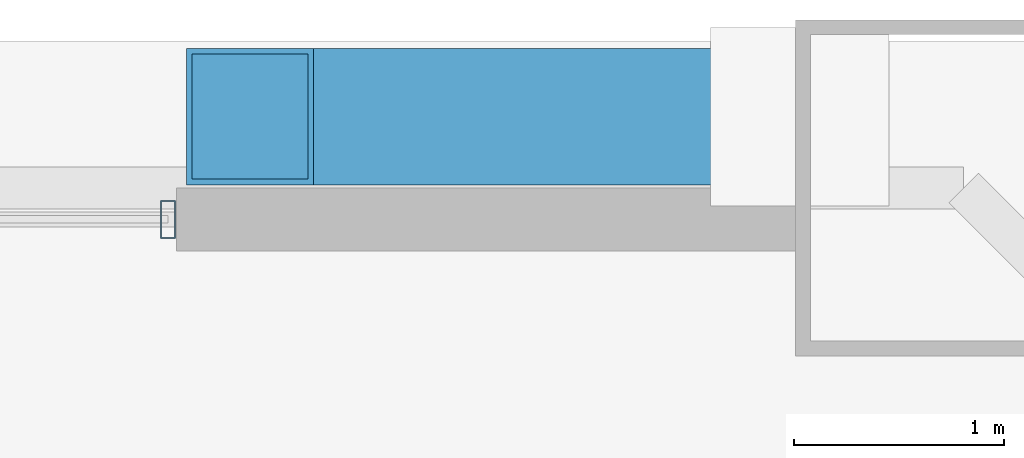
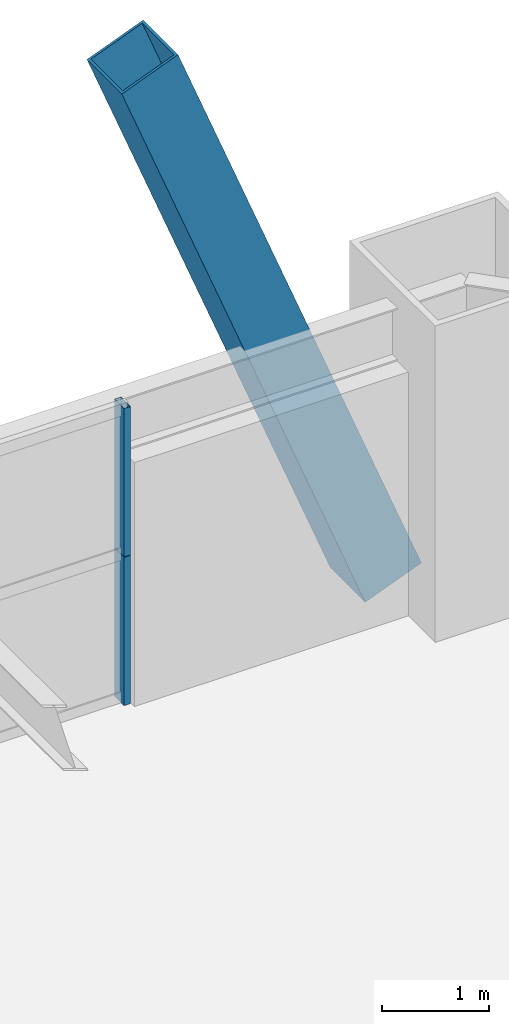
# One storey, part 35 of 41: 3 members, 1 element without a shape of its own.
"""IFC4 building model written with IfcOpenShell, lengths in metres."""

import ifcopenshell
import ifcopenshell.guid

model = None  # the IFC model being written
_history = None  # IfcOwnerHistory: only IFC2X3 demands one
_inside = {}  # id of a spatial element -> (the spatial element, [elements in it])
_under = {}  # id of a project, library or spatial element -> (it, [spatial elements below it])
_declared = {}  # id of a project -> (the project, [libraries it declares])
_typed = {}  # id of a type object -> (the type object, [elements of that type])
_made_of = {}  # id of a material, layer set ... -> (it, [elements and type objects made of it])


def new_model(schema):
    """Start an empty IFC model of exactly this schema.

    Asked for "IFC4X3", IfcOpenShell would pick the latest addendum, in which some entities
    have other attributes; the version numbers below select the first issue.
    IFC2X3 requires an IfcOwnerHistory on every rooted entity: one is made here for all.
    """
    global model, _history
    if schema == "IFC4X3":
        model = ifcopenshell.file(schema_version=(4, 3, 0, 0))
    else:
        model = ifcopenshell.file(schema=schema)
    _inside.clear()
    _under.clear()
    _declared.clear()
    _typed.clear()
    _made_of.clear()
    _history = None
    if model.schema == "IFC2X3":
        org = make("IfcOrganization", Name="unknown")
        user = make(
            "IfcPersonAndOrganization",
            ThePerson=make("IfcPerson", FamilyName="unknown"),
            TheOrganization=org,
        )
        app = make(
            "IfcApplication",
            ApplicationDeveloper=org,
            Version="unknown",
            ApplicationFullName="unknown",
            ApplicationIdentifier="unknown",
        )
        _history = make(
            "IfcOwnerHistory",
            OwningUser=user,
            OwningApplication=app,
            ChangeAction="ADDED",
            CreationDate=0,
        )
    return model


def make(cls, **values):
    """One entity of the class cls with the attributes given. An attribute that is None is left unset."""
    return model.create_entity(
        cls, **{name: value for name, value in values.items() if value is not None}
    )


def rooted(cls, **values):
    """An entity with a GlobalId (a new one), such as an element, a storey or a relation."""
    return make(cls, GlobalId=ifcopenshell.guid.new(), OwnerHistory=_history, **values)


def si_unit(unit_type, name, prefix=None):
    """IfcSIUnit, for example si_unit("LENGTHUNIT", "METRE", prefix="MILLI")."""
    return make("IfcSIUnit", UnitType=unit_type, Prefix=prefix, Name=name)


def assignment(units):
    """IfcUnitAssignment: the units of a project."""
    return None if units is None else make("IfcUnitAssignment", Units=units)


def point(xyz):
    """IfcCartesianPoint."""
    return None if xyz is None else make("IfcCartesianPoint", Coordinates=xyz)


def direction(xyz):
    """IfcDirection."""
    return None if xyz is None else make("IfcDirection", DirectionRatios=xyz)


def frame(location, z_axis=None, x_axis=None):
    """IfcAxis2Placement3D, a coordinate frame: its origin and axes. An axis left out is left unset."""
    return make(
        "IfcAxis2Placement3D",
        Location=point(location),
        Axis=direction(z_axis),
        RefDirection=direction(x_axis),
    )


def frame_2d(location, x_axis=None):
    """IfcAxis2Placement2D, a coordinate frame in the plane: its origin and x axis."""
    return make(
        "IfcAxis2Placement2D", Location=point(location), RefDirection=direction(x_axis)
    )


def origin():
    """The frame at (0, 0, 0) with its axes left unset."""
    return frame((0.0, 0.0, 0.0))


def origin_2d():
    """The frame at (0, 0) in the plane with its x axis left unset."""
    return frame_2d((0.0, 0.0))


def place(relative_to, where):
    """IfcLocalPlacement: puts the frame where relative to a parent placement (None: the world)."""
    return make(
        "IfcLocalPlacement", PlacementRelTo=relative_to, RelativePlacement=where
    )


def context(
    kind, dimensions, precision=None, world=None, true_north=None, identifier=None
):
    """IfcGeometricRepresentationContext, for example the 3D "Model" context."""
    return make(
        "IfcGeometricRepresentationContext",
        ContextIdentifier=identifier,
        ContextType=kind,
        CoordinateSpaceDimension=dimensions,
        Precision=precision,
        WorldCoordinateSystem=world,
        TrueNorth=true_north,
    )


def subcontext(parent, identifier, kind, view, scale=None):
    """IfcGeometricRepresentationSubContext, for example "Body" below "Model"."""
    return make(
        "IfcGeometricRepresentationSubContext",
        ContextIdentifier=identifier,
        ContextType=kind,
        ParentContext=parent,
        TargetScale=scale,
        TargetView=view,
    )


def project(units=None, contexts=None):
    """IfcProject with its units and contexts."""
    return rooted(
        "IfcProject",
        Name="project",
        RepresentationContexts=contexts,
        UnitsInContext=assignment(units),
    )


def spatial(cls, under=None, at=None, **own):
    """A site, building, storey or space (cls), placed at a placement, below another one or the project."""
    s = rooted(cls, ObjectPlacement=at, **own)
    if under is not None:
        _under.setdefault(under.id(), (under, []))[1].append(s)
    return s


def profile(cls, at=None, kind="AREA", **sizes):
    """A parametric profile (cls). Its sizes go by their IFC names, for example OverallWidth=200.0."""
    return make(cls, ProfileType=kind, Position=at, **sizes)


def hollow_rectangle(**sizes):
    """IfcRectangleHollowProfileDef."""
    return profile("IfcRectangleHollowProfileDef", **sizes)


def extrude(swept, where, along, depth):
    """IfcExtrudedAreaSolid: the profile swept, set in the frame where, extruded along a direction by depth."""
    return make(
        "IfcExtrudedAreaSolid",
        SweptArea=swept,
        Position=where,
        ExtrudedDirection=direction(along),
        Depth=depth,
    )


def shape(context_of_items, identifier, shape_type, items):
    """IfcShapeRepresentation: the items that make up one representation, for example the "Body"."""
    return make(
        "IfcShapeRepresentation",
        ContextOfItems=context_of_items,
        RepresentationIdentifier=identifier,
        RepresentationType=shape_type,
        Items=items,
    )


def source(mapping_origin, context_of_items, identifier, shape_type, items):
    """IfcRepresentationMap: a shape defined once, which mapped items show again and again."""
    return make(
        "IfcRepresentationMap",
        MappingOrigin=mapping_origin,
        MappedRepresentation=shape(context_of_items, identifier, shape_type, items),
    )


def transform(
    local_origin,
    x_axis=None,
    y_axis=None,
    z_axis=None,
    scale=None,
    scale2=None,
    scale3=None,
    uniform=True,
):
    """IfcCartesianTransformationOperator3D, or its non-uniform kind. x_axis, y_axis, z_axis: its Axis1, 2, 3."""
    if uniform:
        return make(
            "IfcCartesianTransformationOperator3D",
            Axis1=direction(x_axis),
            Axis2=direction(y_axis),
            LocalOrigin=point(local_origin),
            Scale=scale,
            Axis3=direction(z_axis),
        )
    return make(
        "IfcCartesianTransformationOperator3DnonUniform",
        Axis1=direction(x_axis),
        Axis2=direction(y_axis),
        LocalOrigin=point(local_origin),
        Scale=scale,
        Axis3=direction(z_axis),
        Scale2=scale2,
        Scale3=scale3,
    )


def mapped(mapping_source, mapping_target):
    """IfcMappedItem: shows the shape of a source again, moved by a transform."""
    return make(
        "IfcMappedItem", MappingSource=mapping_source, MappingTarget=mapping_target
    )


def material(Name=None, Category=None):
    """IfcMaterial."""
    return make("IfcMaterial", Name=Name, Category=Category)


def layer(
    of_material, thickness, ventilated=None, Name=None, Category=None, Priority=None
):
    """IfcMaterialLayer: one layer of a wall or slab, of a material (None: an air gap)."""
    return make(
        "IfcMaterialLayer",
        Material=of_material,
        LayerThickness=thickness,
        IsVentilated=ventilated,
        Name=Name,
        Category=Category,
        Priority=Priority,
    )


def layer_set(layers, Name=None):
    """IfcMaterialLayerSet."""
    return make("IfcMaterialLayerSet", MaterialLayers=layers, LayerSetName=Name)


def material_profile(
    of_material, cross_section, Name=None, Category=None, Priority=None
):
    """IfcMaterialProfile: a cross section and its material."""
    return make(
        "IfcMaterialProfile",
        Name=Name,
        Material=of_material,
        Profile=cross_section,
        Priority=Priority,
        Category=Category,
    )


def profile_set(profiles, Name=None, composite=None):
    """IfcMaterialProfileSet."""
    return make(
        "IfcMaterialProfileSet",
        Name=Name,
        MaterialProfiles=profiles,
        CompositeProfile=composite,
    )


def made_of(thing, what):
    """Note that an element or type object is made of a material, layer set ...; save() writes the relation."""
    if what is not None:
        _made_of.setdefault(what.id(), (what, []))[1].append(thing)
    return thing


def type_object(cls, material=None, **own):
    """A type object (cls), such as IfcWallType, which elements share."""
    return made_of(rooted(cls, **own), material)


def element(
    cls,
    number,
    at=None,
    inside=None,
    cuts=None,
    type_object=None,
    material=None,
    context=None,
    identifier="Body",
    shape_type=None,
    held_by="IfcProductDefinitionShape",
    body=None,
    shapes=None,
    **own,
):
    """One element of the class cls, such as IfcWall. Its Tag is "e" and its number.

    at: its placement. inside: the storey or other place that contains it. cuts: it is an
    opening in that element (IfcRelVoidsElement). A single representation is given by context,
    identifier, shape_type and body (its items); several are given by shapes. held_by: the class
    of the entity that holds the representations. save() writes the other relations.
    """
    e = rooted(cls, Tag="e%d" % number, ObjectPlacement=at, **own)
    if body is not None:
        shapes = [shape(context, identifier, shape_type, body)]
    if shapes is not None:
        e.Representation = make(held_by, Representations=shapes)
    if inside is not None:
        _inside.setdefault(inside.id(), (inside, []))[1].append(e)
    if cuts is not None:
        rooted(
            "IfcRelVoidsElement", RelatingBuildingElement=cuts, RelatedOpeningElement=e
        )
    if type_object is not None:
        _typed.setdefault(type_object.id(), (type_object, []))[1].append(e)
    return made_of(e, material)


def aggregate(whole, parts):
    """IfcRelAggregates: a whole, such as a stair, and the parts it consists of."""
    return rooted("IfcRelAggregates", RelatingObject=whole, RelatedObjects=parts)


def save(model, path):
    """Write the relations noted so far, then the file.

    IfcRelAggregates (storeys below a building ...), IfcRelContainedInSpatialStructure (elements
    in a storey), IfcRelDefinesByType, IfcRelAssociatesMaterial and IfcRelDeclares: one each for
    every whole, place, type object, material and project.
    """
    for whole, parts in _under.values():
        aggregate(whole, parts)
    for where, things in _inside.values():
        rooted(
            "IfcRelContainedInSpatialStructure",
            RelatedElements=things,
            RelatingStructure=where,
        )
    for kind, things in _typed.values():
        rooted("IfcRelDefinesByType", RelatedObjects=things, RelatingType=kind)
    for what, things in _made_of.values():
        rooted("IfcRelAssociatesMaterial", RelatedObjects=things, RelatingMaterial=what)
    for by, libraries in _declared.values():
        rooted("IfcRelDeclares", RelatingContext=by, RelatedDefinitions=libraries)
    model.write(path)


model = new_model("IFC4")

# Units and contexts
model_context = context("Model", 3, precision=1e-05, world=origin(), true_north=direction((0.0, 1.0)))
body_context = subcontext(model_context, "Body", "Model", "MODEL_VIEW")
ifc_project = project(units=[si_unit("LENGTHUNIT", "METRE"), si_unit("AREAUNIT", "SQUARE_METRE"), si_unit("VOLUMEUNIT", "CUBIC_METRE"), si_unit("PLANEANGLEUNIT", "RADIAN"), si_unit("MASSUNIT", "GRAM", prefix="KILO"), si_unit("THERMODYNAMICTEMPERATUREUNIT", "KELVIN"), si_unit("POWERUNIT", "WATT")], contexts=[model_context])

# Site, building, storey
site_placement = place(None, origin())
site = spatial("IfcSite", under=ifc_project, at=site_placement, CompositionType="ELEMENT")
building_placement = place(site_placement, origin())
building = spatial("IfcBuilding", under=site, at=building_placement, Name="Yuzanri Waterfront Tower", CompositionType="ELEMENT")
storey_placement = place(building_placement, frame((0.0, 0.0, 115.39990234375)))
storey = spatial("IfcBuildingStorey", under=building, at=storey_placement, Name="L30", CompositionType="ELEMENT", Elevation=115.39990234375)

# Member
ifc_material_1 = material(Name="Steel Q420GJC", Category="steel")
ifc_material_profile_1 = material_profile(ifc_material_1, hollow_rectangle(XDim=0.64990234375, YDim=0.64990234375, WallThickness=0.028076171875, at=origin_2d()), Name="RHS 650x650x28")
ifc_profile_set_1 = profile_set([ifc_material_profile_1], Name="Steel Q420GJC")
member_type_1 = type_object("IfcMemberType", Name="Mega Brace Lower Q420GJC RHS 650x650x28", PredefinedType="BRACE", material=ifc_profile_set_1)
shared_shape_1 = source(origin(), body_context, "Body", "SweptSolid", [
    extrude(hollow_rectangle(XDim=0.64990234375, YDim=0.64990234375, WallThickness=0.028076171875, at=origin_2d()), origin(), (0.0, 0.0, 1.0), 7.19384765625),
])
member_1_placement = place(storey_placement, frame((56.219970703125, 49.739990234375, 0.18017578125), z_axis=(-0.36417668996, 0.0, 0.9313298763), x_axis=(0.0, -1.0, 0.0)))
element("IfcMember", 1, at=member_1_placement, inside=storey, type_object=member_type_1, Name="L30-L31 Perimeter Mega-Brace N-R", PredefinedType="BRACE", context=body_context, shape_type="MappedRepresentation", body=[
    mapped(shared_shape_1, transform((0.0, 0.0, 0.0), scale=1.0)),
])

# Curtain wall, members
ifc_material_2 = material(Name="Anodized Architectural Bronze", Category="metal")
ifc_layer = layer(ifc_material_2, 0.159912109375)
ifc_layer_set = layer_set([ifc_layer], Name="Anodized Architectural Bronze")
curtain_wall_type = type_object("IfcCurtainWallType", Name="Anodized Bronze Hotel Upper-Tier Solar-Control Unitized Curtain Wall 7800", PredefinedType="NOTDEFINED", material=ifc_layer_set)
curtain_wall_placement = place(storey_placement, origin())
curtain_wall = element("IfcCurtainWall", 2, at=curtain_wall_placement, inside=storey, type_object=curtain_wall_type, Name="L30 Curtain Wall CW-L30-NR", PredefinedType="NOTDEFINED")
ifc_material_3 = material(Name="Anodized Architectural Bronze", Category="metal")
ifc_material_profile_2 = material_profile(ifc_material_3, hollow_rectangle(XDim=0.070068359375, YDim=0.179931640625, WallThickness=0.00390625, at=origin_2d()), Name="CWM 70x180")
ifc_profile_set_2 = profile_set([ifc_material_profile_2], Name="Anodized Architectural Bronze")
member_type_2 = type_object("IfcMemberType", Name="Anodized Bronze Standard Curtain-Wall Mullion 70x180", PredefinedType="MULLION", material=ifc_profile_set_2)
shared_shape_2 = source(origin(), body_context, "Body", "SweptSolid", [
    extrude(hollow_rectangle(XDim=0.070068359375, YDim=0.179931640625, WallThickness=0.00390625, at=origin_2d()), origin(), (0.0, 0.0, 1.0), 1.68798828125),
])
member_2_placement = place(storey_placement, frame((53.2099609375, 49.25, 0.0), z_axis=(0.0, 0.0, 1.0), x_axis=(1.0, 0.0, 0.0)))
member_2 = element("IfcMember", 3, at=member_2_placement, type_object=member_type_2, Name="CW-L30-NR Lower Mullion 02", PredefinedType="MULLION", context=body_context, shape_type="MappedRepresentation", body=[
    mapped(shared_shape_2, transform((0.0, 0.0, 0.0), scale=1.0)),
])
member_3_placement = place(storey_placement, frame((53.2099609375, 49.25, 1.692138671875), z_axis=(0.0, 0.0, 1.0), x_axis=(1.0, 0.0, 0.0)))
member_3 = element("IfcMember", 4, at=member_3_placement, type_object=member_type_2, Name="CW-L30-NR Upper Mullion 02", PredefinedType="MULLION", context=body_context, shape_type="MappedRepresentation", body=[
    mapped(shared_shape_2, transform((0.0, 0.0, 0.0), scale=1.0)),
])
aggregate(curtain_wall, [member_2, member_3])

save(model, "model.ifc")
